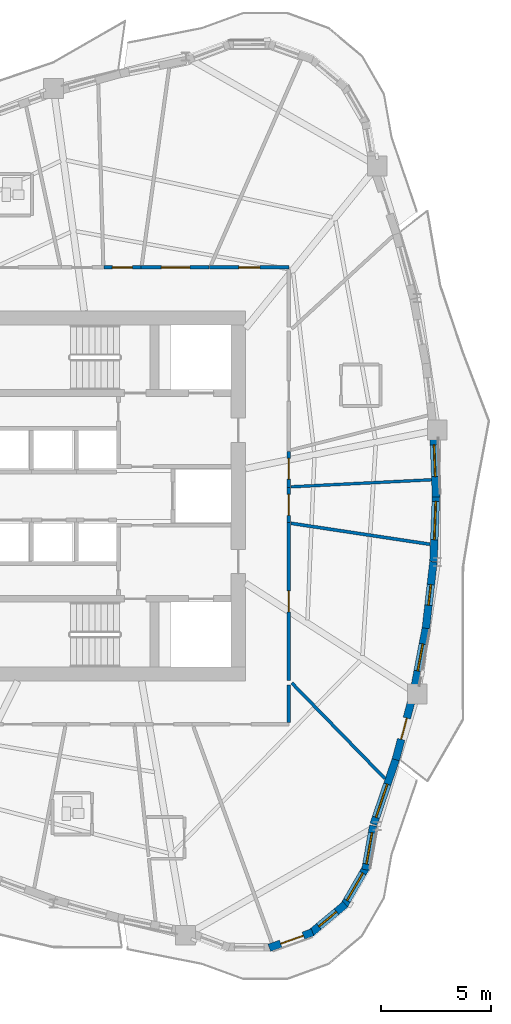
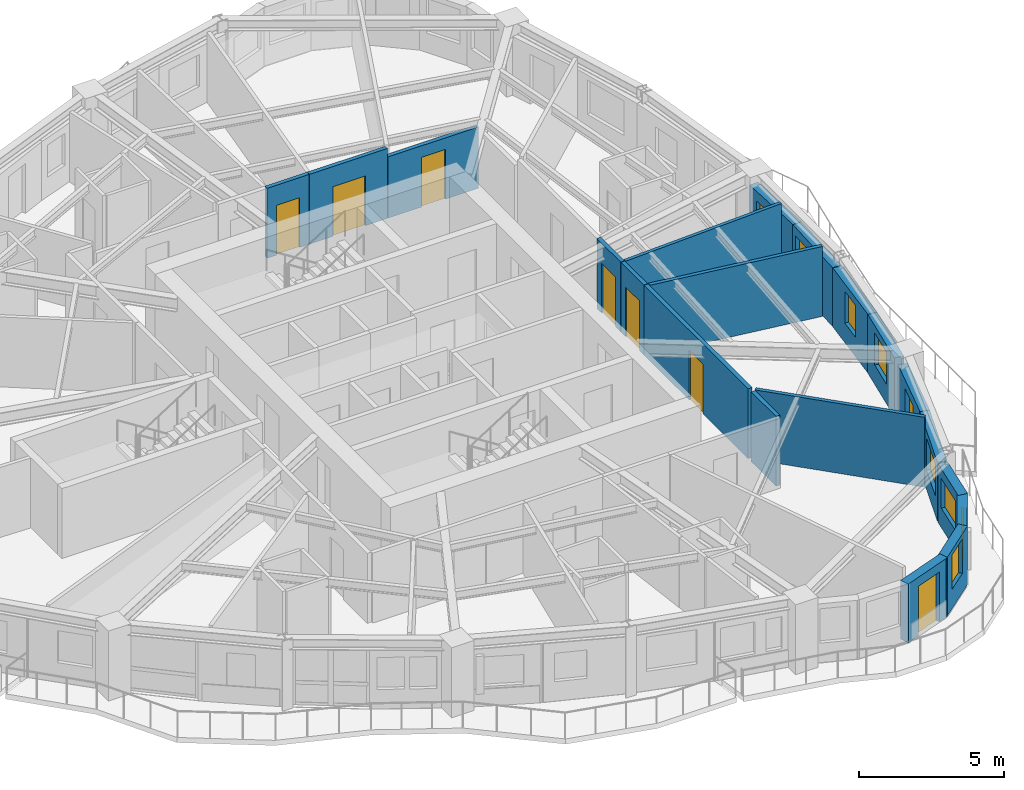
# One storey, part 8 of 15: 20 walls, 8 doors, 8 windows, 16 openings.
"""IFC4 building model written with IfcOpenShell, lengths in metres."""

from ifc_helpers import new_model, si_unit, direction, frame, frame_2d, origin, place, context, subcontext, project, spatial, rectangle, extrude, source, transform, mapped, material, layer, layer_set, type_object, element, fill, save


model = new_model("IFC4")

# Units and contexts
model_context = context("Model", 3, precision=1e-05, world=origin(), true_north=direction((0.0, 1.0)))
body_context = subcontext(model_context, "Body", "Model", "MODEL_VIEW")
ifc_project = project(units=[si_unit("LENGTHUNIT", "METRE"), si_unit("AREAUNIT", "SQUARE_METRE"), si_unit("VOLUMEUNIT", "CUBIC_METRE"), si_unit("PLANEANGLEUNIT", "RADIAN"), si_unit("MASSUNIT", "GRAM", prefix="KILO")], contexts=[model_context])

# Site, building, storey
site_placement = place(None, origin())
site = spatial("IfcSite", under=ifc_project, at=site_placement, CompositionType="ELEMENT")
building_placement = place(site_placement, origin())
building = spatial("IfcBuilding", under=site, at=building_placement, Name="Qafzar Sky-Pleat Residences", CompositionType="ELEMENT")
storey_placement = place(building_placement, frame((0.0, 0.0, 70.39990234375)))
storey = spatial("IfcBuildingStorey", under=building, at=storey_placement, Name="L20", CompositionType="ELEMENT", Elevation=70.39990234375)

# Wall, opening, door
ifc_material_1 = material(Name="Acoustic gypsum plasterboard partition", Category="gypsum")
ifc_layer_1 = layer(ifc_material_1, 0.159912109375)
ifc_layer_set_1 = layer_set([ifc_layer_1], Name="Acoustic gypsum plasterboard partition")
wall_type_1 = type_object("IfcWallType", Name="PART-COR-160", PredefinedType="PARTITIONING", material=ifc_layer_set_1)
wall_1_placement = place(storey_placement, frame((38.530029296875, 24.781005859375, 0.0), z_axis=(0.0, 0.0, 1.0), x_axis=(0.0, -1.0, 0.0)))
wall_1 = element("IfcWall", 1, at=wall_1_placement, inside=storey, type_object=wall_type_1, Name="L20 Partition Wall PART-L20-PW-001", PredefinedType="PARTITIONING", context=body_context, shape_type="SweptSolid", body=[
    extrude(rectangle(XDim=7.203125, YDim=0.159912109375, at=frame_2d((3.6015625, 0.0))), origin(), (0.0, 0.0, 1.0), 2.9501953125),
])
opening_1_placement = place(wall_1_placement, frame((3.118896484375, 0.0, 0.0)))
opening_1 = element("IfcOpeningElement", 2, at=opening_1_placement, cuts=wall_1, Name="Opening ID-06", PredefinedType="OPENING", context=body_context, shape_type="SweptSolid", body=[
    extrude(rectangle(XDim=0.9599609375, YDim=2.10009765625, at=frame_2d((0.47998046875, 1.050048828125))), frame((0.0, 0.08984375, 0.0), z_axis=(0.0, -1.0, 0.0), x_axis=(1.0, 0.0, 0.0)), (0.0, 0.0, 1.0), 0.179931640625),
])
ifc_material_2 = material(Name="Timber-faced fire door", Category="wood")
door_type_1 = type_object("IfcDoorType", Name="DR-STD-960", OperationType="NOTDEFINED", PredefinedType="DOOR", material=ifc_material_2)
shared_shape_1 = source(origin(), body_context, "Body", "SweptSolid", [
    extrude(rectangle(XDim=0.9599609375, YDim=2.10009765625, at=frame_2d((0.47998046875, 1.050048828125))), frame((0.0, 0.02490234375, 0.0), z_axis=(0.0, -1.0, 0.0), x_axis=(1.0, 0.0, 0.0)), (0.0, 0.0, 1.0), 0.050048828125),
])
door_1_placement = place(opening_1_placement, origin())
door_1 = element("IfcDoor", 3, at=door_1_placement, inside=storey, type_object=door_type_1, Name="L20 Postdoctoral Admin Office Door", OperationType="SINGLE_SWING_RIGHT", OverallHeight=2.10009765625, OverallWidth=0.9599609375, PredefinedType="DOOR", context=body_context, shape_type="MappedRepresentation", body=[
    mapped(shared_shape_1, transform((0.0, 0.0, 0.0), x_axis=(1.0, 0.0, 0.0), y_axis=(0.0, 1.0, 0.0), z_axis=(0.0, 0.0, 1.0), scale=1.0)),
])
fill(opening_1, door_1)

wall_2_placement = place(storey_placement, frame((34.908935546875, 36.429931640625, 0.0), z_axis=(0.0, 0.0, 1.0), x_axis=(1.0, 0.0, 0.0)))
wall_2 = element("IfcWall", 4, at=wall_2_placement, inside=storey, type_object=wall_type_1, Name="L20 Partition Wall PART-L20-PW-009", PredefinedType="PARTITIONING", context=body_context, shape_type="SweptSolid", body=[
    extrude(rectangle(XDim=3.62109375, YDim=0.159912109375, at=frame_2d((1.810546875, 0.0))), origin(), (0.0, 0.0, 1.0), 2.588134765625),
])
opening_2_placement = place(wall_2_placement, frame((1.339111328125, 0.0, 0.0)))
opening_2 = element("IfcOpeningElement", 5, at=opening_2_placement, cuts=wall_2, Name="Opening ID-06", PredefinedType="OPENING", context=body_context, shape_type="SweptSolid", body=[
    extrude(rectangle(XDim=0.9599609375, YDim=2.10009765625, at=frame_2d((0.47998046875, 1.050048828125))), frame((0.0, 0.08984375, 0.0), z_axis=(0.0, -1.0, 0.0), x_axis=(1.0, 0.0, 0.0)), (0.0, 0.0, 1.0), 0.179931640625),
])
door_2_placement = place(opening_2_placement, origin())
door_2 = element("IfcDoor", 6, at=door_2_placement, inside=storey, type_object=door_type_1, Name="L20 Reading Library Door", OperationType="SINGLE_SWING_LEFT", OverallHeight=2.10009765625, OverallWidth=0.9599609375, PredefinedType="DOOR", context=body_context, shape_type="MappedRepresentation", body=[
    mapped(shared_shape_1, transform((0.0, 0.0, 0.0), x_axis=(1.0, 0.0, 0.0), y_axis=(0.0, 1.0, 0.0), z_axis=(0.0, 0.0, 1.0), scale=1.0)),
])
fill(opening_2, door_2)

wall_3_placement = place(storey_placement, frame((31.784912109375, 36.429931640625, 0.0), z_axis=(0.0, 0.0, 1.0), x_axis=(1.0, 0.0, 0.0)))
wall_3 = element("IfcWall", 7, at=wall_3_placement, inside=storey, type_object=wall_type_1, Name="L20 Partition Wall PART-L20-PW-011", PredefinedType="PARTITIONING", context=body_context, shape_type="SweptSolid", body=[
    extrude(rectangle(XDim=3.109130859375, YDim=0.159912109375, at=frame_2d((1.5546875, 0.0))), origin(), (0.0, 0.0, 1.0), 2.9501953125),
])
opening_3_placement = place(wall_3_placement, frame((0.927978515625, 0.0, 0.0)))
opening_3 = element("IfcOpeningElement", 8, at=opening_3_placement, cuts=wall_3, Name="Opening ID-05", PredefinedType="OPENING", context=body_context, shape_type="SweptSolid", body=[
    extrude(rectangle(XDim=1.300048828125, YDim=2.10009765625, at=frame_2d((0.64990234375, 1.050048828125))), frame((0.0, 0.08984375, 0.0), z_axis=(0.0, -1.0, 0.0), x_axis=(1.0, 0.0, 0.0)), (0.0, 0.0, 1.0), 0.179931640625),
])
door_type_2 = type_object("IfcDoorType", Name="DR-LNG-1300", OperationType="DOUBLE_DOOR_SINGLE_SWING", PredefinedType="DOOR", material=ifc_material_2)
shared_shape_2 = source(origin(), body_context, "Body", "SweptSolid", [
    extrude(rectangle(XDim=1.300048828125, YDim=2.10009765625, at=frame_2d((0.64990234375, 1.050048828125))), frame((0.0, 0.02490234375, 0.0), z_axis=(0.0, -1.0, 0.0), x_axis=(1.0, 0.0, 0.0)), (0.0, 0.0, 1.0), 0.050048828125),
])
door_3_placement = place(opening_3_placement, origin())
door_3 = element("IfcDoor", 9, at=door_3_placement, inside=storey, type_object=door_type_2, Name="L20 Co-Living Lounge Door", OperationType="DOUBLE_DOOR_SINGLE_SWING", OverallHeight=2.10009765625, OverallWidth=1.300048828125, PredefinedType="DOOR", context=body_context, shape_type="MappedRepresentation", body=[
    mapped(shared_shape_2, transform((0.0, 0.0, 0.0), x_axis=(1.0, 0.0, 0.0), y_axis=(0.0, 1.0, 0.0), z_axis=(0.0, 0.0, 1.0), scale=1.0)),
])
fill(opening_3, door_3)

wall_4_placement = place(storey_placement, frame((30.091064453125, 36.429931640625, 0.0), z_axis=(0.0, 0.0, 1.0), x_axis=(1.0, 0.0, 0.0)))
wall_4 = element("IfcWall", 10, at=wall_4_placement, inside=storey, type_object=wall_type_1, Name="L20 Partition Wall PART-L20-PW-021", PredefinedType="PARTITIONING", context=body_context, shape_type="SweptSolid", body=[
    extrude(rectangle(XDim=1.678955078125, YDim=0.159912109375, at=frame_2d((0.83935546875, 0.0))), origin(), (0.0, 0.0, 1.0), 2.9501953125),
])
opening_4_placement = place(wall_4_placement, frame((0.37939453125, 0.0, 0.0)))
opening_4 = element("IfcOpeningElement", 11, at=opening_4_placement, cuts=wall_4, Name="Opening ID-04", PredefinedType="OPENING", context=body_context, shape_type="SweptSolid", body=[
    extrude(rectangle(XDim=0.919921875, YDim=2.10009765625, at=frame_2d((0.4599609375, 1.050048828125))), frame((0.0, 0.08984375, 0.0), z_axis=(0.0, -1.0, 0.0), x_axis=(1.0, 0.0, 0.0)), (0.0, 0.0, 1.0), 0.179931640625),
])
door_type_3 = type_object("IfcDoorType", Name="DR-BED-920", OperationType="NOTDEFINED", PredefinedType="DOOR", material=ifc_material_2)
shared_shape_3 = source(origin(), body_context, "Body", "SweptSolid", [
    extrude(rectangle(XDim=0.919921875, YDim=2.10009765625, at=frame_2d((0.4599609375, 1.050048828125))), frame((0.0, 0.02490234375, 0.0), z_axis=(0.0, -1.0, 0.0), x_axis=(1.0, 0.0, 0.0)), (0.0, 0.0, 1.0), 0.050048828125),
])
door_4_placement = place(opening_4_placement, origin())
door_4 = element("IfcDoor", 12, at=door_4_placement, inside=storey, type_object=door_type_3, Name="L20 Co-Living Bedroom 2 Door", OperationType="SINGLE_SWING_LEFT", OverallHeight=2.10009765625, OverallWidth=0.919921875, PredefinedType="DOOR", context=body_context, shape_type="MappedRepresentation", body=[
    mapped(shared_shape_3, transform((0.0, 0.0, 0.0), x_axis=(1.0, 0.0, 0.0), y_axis=(0.0, 1.0, 0.0), z_axis=(0.0, 0.0, 1.0), scale=1.0)),
])
fill(opening_4, door_4)

wall_5_placement = place(storey_placement, frame((38.530029296875, 28.0390625, 0.0), z_axis=(0.0, 0.0, 1.0), x_axis=(0.0, -1.0, 0.0)))
wall_5 = element("IfcWall", 13, at=wall_5_placement, inside=storey, type_object=wall_type_1, Name="L20 Partition Wall PART-L20-PW-022", PredefinedType="PARTITIONING", context=body_context, shape_type="SweptSolid", body=[
    extrude(rectangle(XDim=1.64306640625, YDim=0.159912109375, at=frame_2d((0.821533203125, 0.0))), origin(), (0.0, 0.0, 1.0), 2.9501953125),
])
opening_5_placement = place(wall_5_placement, frame((0.323486328125, 0.0, 0.0)))
opening_5 = element("IfcOpeningElement", 14, at=opening_5_placement, cuts=wall_5, Name="Opening ID-08", PredefinedType="OPENING", context=body_context, shape_type="SweptSolid", body=[
    extrude(rectangle(XDim=0.949951171875, YDim=2.10009765625, at=frame_2d((0.47509765625, 1.050048828125))), frame((0.0, 0.08984375, 0.0), z_axis=(0.0, -1.0, 0.0), x_axis=(1.0, 0.0, 0.0)), (0.0, 0.0, 1.0), 0.179931640625),
])
door_type_4 = type_object("IfcDoorType", Name="DR-AWC-950", OperationType="NOTDEFINED", PredefinedType="DOOR", material=ifc_material_2)
shared_shape_4 = source(origin(), body_context, "Body", "SweptSolid", [
    extrude(rectangle(XDim=0.949951171875, YDim=2.10009765625, at=frame_2d((0.47509765625, 1.050048828125))), frame((0.0, 0.02490234375, 0.0), z_axis=(0.0, -1.0, 0.0), x_axis=(1.0, 0.0, 0.0)), (0.0, 0.0, 1.0), 0.050048828125),
])
door_5_placement = place(opening_5_placement, origin())
door_5 = element("IfcDoor", 15, at=door_5_placement, inside=storey, type_object=door_type_4, Name="L20 Accessible Shared Washroom Door", OperationType="SINGLE_SWING_RIGHT", OverallHeight=2.10009765625, OverallWidth=0.949951171875, PredefinedType="DOOR", context=body_context, shape_type="MappedRepresentation", body=[
    mapped(shared_shape_4, transform((0.0, 0.0, 0.0), x_axis=(1.0, 0.0, 0.0), y_axis=(0.0, 1.0, 0.0), z_axis=(0.0, 0.0, 1.0), scale=1.0)),
])
fill(opening_5, door_5)

wall_6_placement = place(storey_placement, frame((38.530029296875, 26.381103515625, 0.0), z_axis=(0.0, 0.0, 1.0), x_axis=(0.0, -1.0, 0.0)))
wall_6 = element("IfcWall", 16, at=wall_6_placement, inside=storey, type_object=wall_type_1, Name="L20 Partition Wall PART-L20-PW-023", PredefinedType="PARTITIONING", context=body_context, shape_type="SweptSolid", body=[
    extrude(rectangle(XDim=1.585205078125, YDim=0.159912109375, at=frame_2d((0.79248046875, 0.0))), origin(), (0.0, 0.0, 1.0), 2.9501953125),
])
opening_6_placement = place(wall_6_placement, frame((0.31298828125, 0.0, 0.0)))
opening_6 = element("IfcOpeningElement", 17, at=opening_6_placement, cuts=wall_6, Name="Opening ID-06", PredefinedType="OPENING", context=body_context, shape_type="SweptSolid", body=[
    extrude(rectangle(XDim=0.9599609375, YDim=2.10009765625, at=frame_2d((0.47998046875, 1.050048828125))), frame((0.0, 0.08984375, 0.0), z_axis=(0.0, -1.0, 0.0), x_axis=(1.0, 0.0, 0.0)), (0.0, 0.0, 1.0), 0.179931640625),
])
door_6_placement = place(opening_6_placement, origin())
door_6 = element("IfcDoor", 18, at=door_6_placement, inside=storey, type_object=door_type_1, Name="L20 Scholar Study Room Door", OperationType="SINGLE_SWING_LEFT", OverallHeight=2.10009765625, OverallWidth=0.9599609375, PredefinedType="DOOR", context=body_context, shape_type="MappedRepresentation", body=[
    mapped(shared_shape_1, transform((0.0, 0.0, 0.0), x_axis=(1.0, 0.0, 0.0), y_axis=(0.0, 1.0, 0.0), z_axis=(0.0, 0.0, 1.0), scale=1.0)),
])
fill(opening_6, door_6)

# Walls
wall_7_placement = place(storey_placement, frame((38.530029296875, 15.657958984375, 0.0), z_axis=(0.0, 0.0, 1.0), x_axis=(0.0, 1.0, 0.0)))
element("IfcWall", 19, at=wall_7_placement, inside=storey, type_object=wall_type_1, Name="L20 Partition Wall PART-L20-PW-045", PredefinedType="PARTITIONING", context=body_context, shape_type="SweptSolid", body=[
    extrude(rectangle(XDim=1.7109375, YDim=0.159912109375, at=frame_2d((0.85546875, 0.0))), origin(), (0.0, 0.0, 1.0), 2.9501953125),
])
ifc_layer_2 = layer(ifc_material_1, 0.14501953125)
ifc_layer_set_2 = layer_set([ifc_layer_2], Name="Acoustic gypsum plasterboard partition")
wall_type_2 = type_object("IfcWallType", Name="PART-UNIT-145", PredefinedType="PARTITIONING", material=ifc_layer_set_2)
wall_8_placement = place(storey_placement, frame((38.628662109375, 24.75, 0.0), z_axis=(0.0, 0.0, 1.0), x_axis=(0.988806184902, -0.149205659073, 0.0)))
element("IfcWall", 20, at=wall_8_placement, inside=storey, type_object=wall_type_2, Name="L20 Partition Wall PART-L20-PW-036", PredefinedType="PARTITIONING", context=body_context, shape_type="SweptSolid", body=[
    extrude(rectangle(XDim=6.415771484375, YDim=0.14501953125, at=frame_2d((3.2080078125, 0.0))), origin(), (0.0, 0.0, 1.0), 2.9501953125),
])
wall_9_placement = place(storey_placement, frame((38.66748046875, 17.457763671875, 0.0), z_axis=(0.0, 0.0, 1.0), x_axis=(0.697626427609, -0.716461699954, 0.0)))
element("IfcWall", 21, at=wall_9_placement, inside=storey, type_object=wall_type_2, Name="L20 Partition Wall PART-L20-PW-039", PredefinedType="PARTITIONING", context=body_context, shape_type="SweptSolid", body=[
    extrude(rectangle(XDim=6.092041015625, YDim=0.14501953125, at=frame_2d((3.0458984375, 0.0))), origin(), (0.0, 0.0, 1.0), 2.9501953125),
])
ifc_material_3 = material(Name="Moisture-resistant gypsum partition", Category="gypsum")
ifc_layer_3 = layer(ifc_material_3, 0.1298828125)
ifc_layer_set_3 = layer_set([ifc_layer_3], Name="Moisture-resistant gypsum partition")
wall_type_3 = type_object("IfcWallType", Name="PART-WET-130", PredefinedType="PARTITIONING", material=ifc_layer_set_3)
wall_10_placement = place(storey_placement, frame((38.62109375, 26.41552734375, 0.0), z_axis=(0.0, 0.0, 1.0), x_axis=(0.998746074583, 0.050062745689, 0.0)))
element("IfcWall", 22, at=wall_10_placement, inside=storey, type_object=wall_type_3, Name="L20 Partition Wall PART-L20-PW-037", PredefinedType="PARTITIONING", context=body_context, shape_type="SweptSolid", body=[
    extrude(rectangle(XDim=6.422607421875, YDim=0.1298828125, at=frame_2d((3.21142578125, 0.0))), origin(), (0.0, 0.0, 1.0), 2.9501953125),
])

# Wall, opening, door
ifc_material_4 = material(Name="Precast concrete C40/50 with honed Riyadh limestone", Category="concrete")
ifc_layer_4 = layer(ifc_material_4, 0.35009765625)
ifc_layer_set_4 = layer_set([ifc_layer_4], Name="Precast concrete C40/50 with honed Riyadh limestone")
wall_type_4 = type_object("IfcWallType", Name="WALL-EXT-350", PredefinedType="SOLIDWALL", material=ifc_layer_set_4)
wall_11_placement = place(storey_placement, frame((37.6376953125, 5.3671875, 0.0), z_axis=(0.0, 0.0, 1.0), x_axis=(0.941486401639, 0.33705096874, 0.0)))
wall_11 = element("IfcWall", 23, at=wall_11_placement, inside=storey, type_object=wall_type_4, Name="L20 Limestone Facade Wall 19", PredefinedType="SOLIDWALL", context=body_context, shape_type="SweptSolid", body=[
    extrude(rectangle(XDim=2.09912109375, YDim=0.35009765625, at=frame_2d((1.049560546875, 0.0))), origin(), (0.0, 0.0, 1.0), 2.47998046875),
])
opening_7_placement = place(wall_11_placement, frame((0.55224609375, 0.0, 0.0)))
opening_7 = element("IfcOpeningElement", 24, at=opening_7_placement, cuts=wall_11, Name="Opening ED-06", PredefinedType="OPENING", context=body_context, shape_type="SweptSolid", body=[
    extrude(rectangle(XDim=1.10009765625, YDim=2.10009765625, at=frame_2d((0.550048828125, 1.050048828125))), frame((0.0, 0.18505859375, 0.0), z_axis=(0.0, -1.0, 0.0), x_axis=(1.0, 0.0, 0.0)), (0.0, 0.0, 1.0), 0.3701171875),
])
ifc_material_5 = material(Name="Glazed bronze aluminium door", Category="aluminium")
door_type_5 = type_object("IfcDoorType", Name="DR-BAL-1100", OperationType="NOTDEFINED", PredefinedType="DOOR", material=ifc_material_5)
shared_shape_5 = source(origin(), body_context, "Body", "SweptSolid", [
    extrude(rectangle(XDim=1.10009765625, YDim=2.10009765625, at=frame_2d((0.550048828125, 1.050048828125))), frame((0.0, 0.02490234375, 0.0), z_axis=(0.0, -1.0, 0.0), x_axis=(1.0, 0.0, 0.0)), (0.0, 0.0, 1.0), 0.050048828125),
])
door_7_placement = place(opening_7_placement, origin())
door_7 = element("IfcDoor", 25, at=door_7_placement, inside=storey, type_object=door_type_5, Name="L20 Terrace Glazed Door 3", OperationType="SINGLE_SWING_RIGHT", OverallHeight=2.10009765625, OverallWidth=1.10009765625, PredefinedType="DOOR", context=body_context, shape_type="MappedRepresentation", body=[
    mapped(shared_shape_5, transform((0.0, 0.0, 0.0), x_axis=(1.0, 0.0, 0.0), y_axis=(0.0, 1.0, 0.0), z_axis=(0.0, 0.0, 1.0), scale=1.0)),
])
fill(opening_7, door_7)

# Wall, opening, window
wall_12_placement = place(storey_placement, frame((39.49609375, 6.00732421875, 0.0), z_axis=(0.0, 0.0, 1.0), x_axis=(0.768450068703, 0.639909752942, 0.0)))
wall_12 = element("IfcWall", 26, at=wall_12_placement, inside=storey, type_object=wall_type_4, Name="L20 Limestone Facade Wall 20", PredefinedType="SOLIDWALL", context=body_context, shape_type="SweptSolid", body=[
    extrude(rectangle(XDim=2.098876953125, YDim=0.35009765625, at=frame_2d((1.04931640625, 0.0))), origin(), (0.0, 0.0, 1.0), 2.47998046875),
])
opening_8_placement = place(wall_12_placement, frame((0.5244140625, 0.0, 0.820068359375)))
opening_8 = element("IfcOpeningElement", 27, at=opening_8_placement, cuts=wall_12, Name="Opening WN-06", PredefinedType="OPENING", context=body_context, shape_type="SweptSolid", body=[
    extrude(rectangle(XDim=1.050048828125, YDim=1.449951171875, at=frame_2d((0.52490234375, 0.72509765625))), frame((0.0, 0.18505859375, 0.0), z_axis=(0.0, -1.0, 0.0), x_axis=(1.0, 0.0, 0.0)), (0.0, 0.0, 1.0), 0.3701171875),
])
ifc_material_6 = material(Name="Solar-control low-E glass in bronze aluminium frame", Category="glass")
window_type_1 = type_object("IfcWindowType", Name="WIN-06", PartitioningType="SINGLE_PANEL", PredefinedType="WINDOW", material=ifc_material_6)
shared_shape_6 = source(origin(), body_context, "Body", "SweptSolid", [
    extrude(rectangle(XDim=1.050048828125, YDim=1.449951171875, at=frame_2d((0.52490234375, 0.72509765625))), frame((0.0, 0.030029296875, 0.0), z_axis=(0.0, -1.0, 0.0), x_axis=(1.0, 0.0, 0.0)), (0.0, 0.0, 1.0), 0.06005859375),
])
window_1_placement = place(opening_8_placement, origin())
window_1 = element("IfcWindow", 28, at=window_1_placement, inside=storey, type_object=window_type_1, Name="L20 Punched Facade Window 20", OverallHeight=1.449951171875, OverallWidth=1.050048828125, PartitioningType="SINGLE_PANEL", PredefinedType="WINDOW", context=body_context, shape_type="MappedRepresentation", body=[
    mapped(shared_shape_6, transform((0.0, 0.0, 0.0), x_axis=(1.0, 0.0, 0.0), y_axis=(0.0, 1.0, 0.0), z_axis=(0.0, 0.0, 1.0), scale=1.0)),
])
fill(opening_8, window_1)

wall_13_placement = place(storey_placement, frame((41.021484375, 7.24658203125, 0.0), z_axis=(0.0, 0.0, 1.0), x_axis=(0.501902596059, 0.864924149315, 0.0)))
wall_13 = element("IfcWall", 29, at=wall_13_placement, inside=storey, type_object=wall_type_4, Name="L20 Limestone Facade Wall 21", PredefinedType="SOLIDWALL", context=body_context, shape_type="SweptSolid", body=[
    extrude(rectangle(XDim=2.098876953125, YDim=0.35009765625, at=frame_2d((1.04931640625, 0.0))), origin(), (0.0, 0.0, 1.0), 2.47998046875),
])
opening_9_placement = place(wall_13_placement, frame((0.324462890625, 0.0, 0.820068359375)))
opening_9 = element("IfcOpeningElement", 30, at=opening_9_placement, cuts=wall_13, Name="Opening WN-15", PredefinedType="OPENING", context=body_context, shape_type="SweptSolid", body=[
    extrude(rectangle(XDim=1.449951171875, YDim=1.25, at=frame_2d((0.72509765625, 0.625))), frame((0.0, 0.18505859375, 0.0), z_axis=(0.0, -1.0, 0.0), x_axis=(1.0, 0.0, 0.0)), (0.0, 0.0, 1.0), 0.3701171875),
])
window_type_2 = type_object("IfcWindowType", Name="WIN-15", PartitioningType="SINGLE_PANEL", PredefinedType="WINDOW", material=ifc_material_6)
shared_shape_7 = source(origin(), body_context, "Body", "SweptSolid", [
    extrude(rectangle(XDim=1.449951171875, YDim=1.25, at=frame_2d((0.72509765625, 0.625))), frame((0.0, 0.030029296875, 0.0), z_axis=(0.0, -1.0, 0.0), x_axis=(1.0, 0.0, 0.0)), (0.0, 0.0, 1.0), 0.06005859375),
])
window_2_placement = place(opening_9_placement, origin())
window_2 = element("IfcWindow", 31, at=window_2_placement, inside=storey, type_object=window_type_2, Name="L20 Punched Facade Window 21", OverallHeight=1.25, OverallWidth=1.449951171875, PartitioningType="SINGLE_PANEL", PredefinedType="WINDOW", context=body_context, shape_type="MappedRepresentation", body=[
    mapped(shared_shape_7, transform((0.0, 0.0, 0.0), x_axis=(1.0, 0.0, 0.0), y_axis=(0.0, 1.0, 0.0), z_axis=(0.0, 0.0, 1.0), scale=1.0)),
])
fill(opening_9, window_2)

wall_14_placement = place(storey_placement, frame((42.0283203125, 8.934326171875, 0.0), z_axis=(0.0, 0.0, 1.0), x_axis=(0.174399433509, 0.984674990843, 0.0)))
wall_14 = element("IfcWall", 32, at=wall_14_placement, inside=storey, type_object=wall_type_4, Name="L20 Limestone Facade Wall 22", PredefinedType="SOLIDWALL", context=body_context, shape_type="SweptSolid", body=[
    extrude(rectangle(XDim=2.041015625, YDim=0.35009765625, at=frame_2d((1.0205078125, 0.0))), origin(), (0.0, 0.0, 1.0), 2.47998046875),
])
opening_10_placement = place(wall_14_placement, frame((0.265380859375, 0.0, 0.820068359375)))
opening_10 = element("IfcOpeningElement", 33, at=opening_10_placement, cuts=wall_14, Name="Opening WN-15", PredefinedType="OPENING", context=body_context, shape_type="SweptSolid", body=[
    extrude(rectangle(XDim=1.449951171875, YDim=1.25, at=frame_2d((0.72509765625, 0.625))), frame((0.0, 0.18505859375, 0.0), z_axis=(0.0, -1.0, 0.0), x_axis=(1.0, 0.0, 0.0)), (0.0, 0.0, 1.0), 0.3701171875),
])
window_3_placement = place(opening_10_placement, origin())
window_3 = element("IfcWindow", 34, at=window_3_placement, inside=storey, type_object=window_type_2, Name="L20 Punched Facade Window 22", OverallHeight=1.25, OverallWidth=1.449951171875, PartitioningType="SINGLE_PANEL", PredefinedType="WINDOW", context=body_context, shape_type="MappedRepresentation", body=[
    mapped(shared_shape_7, transform((0.0, 0.0, 0.0), x_axis=(1.0, 0.0, 0.0), y_axis=(0.0, 1.0, 0.0), z_axis=(0.0, 0.0, 1.0), scale=1.0)),
])
fill(opening_10, window_3)

wall_15_placement = place(storey_placement, frame((42.40087890625, 11.0087890625, 0.0), z_axis=(0.0, 0.0, 1.0), x_axis=(0.323605065536, 0.946192243447, 0.0)))
wall_15 = element("IfcWall", 35, at=wall_15_placement, inside=storey, type_object=wall_type_4, Name="L20 Limestone Facade Wall 23", PredefinedType="SOLIDWALL", context=body_context, shape_type="SweptSolid", body=[
    extrude(rectangle(XDim=3.20263671875, YDim=0.35009765625, at=frame_2d((1.601318359375, 0.0))), origin(), (0.0, 0.0, 1.0), 2.47998046875),
])
opening_11_placement = place(wall_15_placement, frame((0.334228515625, 0.0, 0.820068359375)))
opening_11 = element("IfcOpeningElement", 36, at=opening_11_placement, cuts=wall_15, Name="Opening WN-09", PredefinedType="OPENING", context=body_context, shape_type="SweptSolid", body=[
    extrude(rectangle(XDim=1.60009765625, YDim=1.35009765625, at=frame_2d((0.800048828125, 0.675048828125))), frame((0.0, 0.18505859375, 0.0), z_axis=(0.0, -1.0, 0.0), x_axis=(1.0, 0.0, 0.0)), (0.0, 0.0, 1.0), 0.3701171875),
])
window_type_3 = type_object("IfcWindowType", Name="WIN-09", PartitioningType="DOUBLE_PANEL_VERTICAL", PredefinedType="WINDOW", material=ifc_material_6)
shared_shape_8 = source(origin(), body_context, "Body", "SweptSolid", [
    extrude(rectangle(XDim=1.60009765625, YDim=1.35009765625, at=frame_2d((0.800048828125, 0.675048828125))), frame((0.0, 0.030029296875, 0.0), z_axis=(0.0, -1.0, 0.0), x_axis=(1.0, 0.0, 0.0)), (0.0, 0.0, 1.0), 0.06005859375),
])
window_4_placement = place(opening_11_placement, origin())
window_4 = element("IfcWindow", 37, at=window_4_placement, inside=storey, type_object=window_type_3, Name="L20 Punched Facade Window 23", OverallHeight=1.35009765625, OverallWidth=1.60009765625, PartitioningType="SINGLE_PANEL", PredefinedType="WINDOW", context=body_context, shape_type="MappedRepresentation", body=[
    mapped(shared_shape_8, transform((0.0, 0.0, 0.0), x_axis=(1.0, 0.0, 0.0), y_axis=(0.0, 1.0, 0.0), z_axis=(0.0, 0.0, 1.0), scale=1.0)),
])
fill(opening_11, window_4)

# Wall, opening, door
wall_16_placement = place(storey_placement, frame((43.41162109375, 13.954833984375, 0.0), z_axis=(0.0, 0.0, 1.0), x_axis=(0.257050841376, 0.966397881283, 0.0)))
wall_16 = element("IfcWall", 38, at=wall_16_placement, inside=storey, type_object=wall_type_4, Name="L20 Limestone Facade Wall 24", PredefinedType="SOLIDWALL", context=body_context, shape_type="SweptSolid", body=[
    extrude(rectangle(XDim=2.930908203125, YDim=0.35009765625, at=frame_2d((1.46533203125, 0.0))), origin(), (0.0, 0.0, 1.0), 2.47998046875),
])
opening_12_placement = place(wall_16_placement, frame((0.965576171875, 0.0, 0.0)))
opening_12 = element("IfcOpeningElement", 39, at=opening_12_placement, cuts=wall_16, Name="Opening ED-05", PredefinedType="OPENING", context=body_context, shape_type="SweptSolid", body=[
    extrude(rectangle(XDim=1.0, YDim=2.10009765625, at=frame_2d((0.5, 1.050048828125))), frame((0.0, 0.18505859375, 0.0), z_axis=(0.0, -1.0, 0.0), x_axis=(1.0, 0.0, 0.0)), (0.0, 0.0, 1.0), 0.3701171875),
])
door_type_6 = type_object("IfcDoorType", Name="DR-BAL-1000", OperationType="NOTDEFINED", PredefinedType="DOOR", material=ifc_material_5)
shared_shape_9 = source(origin(), body_context, "Body", "SweptSolid", [
    extrude(rectangle(XDim=1.0, YDim=2.10009765625, at=frame_2d((0.5, 1.050048828125))), frame((0.0, 0.02490234375, 0.0), z_axis=(0.0, -1.0, 0.0), x_axis=(1.0, 0.0, 0.0)), (0.0, 0.0, 1.0), 0.050048828125),
])
door_8_placement = place(opening_12_placement, origin())
door_8 = element("IfcDoor", 40, at=door_8_placement, inside=storey, type_object=door_type_6, Name="L20 Glazed Balcony Door 1", OperationType="SINGLE_SWING_LEFT", OverallHeight=2.10009765625, OverallWidth=1.0, PredefinedType="DOOR", context=body_context, shape_type="MappedRepresentation", body=[
    mapped(shared_shape_9, transform((0.0, 0.0, 0.0), x_axis=(1.0, 0.0, 0.0), y_axis=(0.0, 1.0, 0.0), z_axis=(0.0, 0.0, 1.0), scale=1.0)),
])
fill(opening_12, door_8)

# Wall, opening, window
wall_17_placement = place(storey_placement, frame((44.26220703125, 17.213623046875, 0.0), z_axis=(0.0, 0.0, 1.0), x_axis=(0.18665246466, 0.982426006087, 0.0)))
wall_17 = element("IfcWall", 41, at=wall_17_placement, inside=storey, type_object=wall_type_4, Name="L20 Limestone Facade Wall 25", PredefinedType="SOLIDWALL", context=body_context, shape_type="SweptSolid", body=[
    extrude(rectangle(XDim=2.880126953125, YDim=0.35009765625, at=frame_2d((1.43994140625, 0.0))), origin(), (0.0, 0.0, 1.0), 2.47998046875),
])
opening_13_placement = place(wall_17_placement, frame((0.810302734375, 0.0, 0.820068359375)))
opening_13 = element("IfcOpeningElement", 42, at=opening_13_placement, cuts=wall_17, Name="Opening WN-11", PredefinedType="OPENING", context=body_context, shape_type="SweptSolid", body=[
    extrude(rectangle(XDim=1.25, YDim=1.35009765625, at=frame_2d((0.625, 0.675048828125))), frame((0.0, 0.18505859375, 0.0), z_axis=(0.0, -1.0, 0.0), x_axis=(1.0, 0.0, 0.0)), (0.0, 0.0, 1.0), 0.3701171875),
])
window_type_4 = type_object("IfcWindowType", Name="WIN-11", PartitioningType="SINGLE_PANEL", PredefinedType="WINDOW", material=ifc_material_6)
shared_shape_10 = source(origin(), body_context, "Body", "SweptSolid", [
    extrude(rectangle(XDim=1.25, YDim=1.35009765625, at=frame_2d((0.625, 0.675048828125))), frame((0.0, 0.030029296875, 0.0), z_axis=(0.0, -1.0, 0.0), x_axis=(1.0, 0.0, 0.0)), (0.0, 0.0, 1.0), 0.06005859375),
])
window_5_placement = place(opening_13_placement, origin())
window_5 = element("IfcWindow", 43, at=window_5_placement, inside=storey, type_object=window_type_4, Name="L20 Punched Facade Window 25", OverallHeight=1.35009765625, OverallWidth=1.25, PartitioningType="SINGLE_PANEL", PredefinedType="WINDOW", context=body_context, shape_type="MappedRepresentation", body=[
    mapped(shared_shape_10, transform((0.0, 0.0, 0.0), x_axis=(1.0, 0.0, 0.0), y_axis=(0.0, 1.0, 0.0), z_axis=(0.0, 0.0, 1.0), scale=1.0)),
])
fill(opening_13, window_5)

wall_18_placement = place(storey_placement, frame((44.78662109375, 19.955322265625, 0.0), z_axis=(0.0, 0.0, 1.0), x_axis=(0.113232876367, 0.993568475602, 0.0)))
wall_18 = element("IfcWall", 44, at=wall_18_placement, inside=storey, type_object=wall_type_4, Name="L20 Limestone Facade Wall 26", PredefinedType="SOLIDWALL", context=body_context, shape_type="SweptSolid", body=[
    extrude(rectangle(XDim=3.05078125, YDim=0.35009765625, at=frame_2d((1.525390625, 0.0))), origin(), (0.0, 0.0, 1.0), 2.47998046875),
])
opening_14_placement = place(wall_18_placement, frame((1.060302734375, 0.0, 0.820068359375)))
opening_14 = element("IfcOpeningElement", 45, at=opening_14_placement, cuts=wall_18, Name="Opening WN-12", PredefinedType="OPENING", context=body_context, shape_type="SweptSolid", body=[
    extrude(rectangle(XDim=0.949951171875, YDim=1.35009765625, at=frame_2d((0.47509765625, 0.675048828125))), frame((0.0, 0.18505859375, 0.0), z_axis=(0.0, -1.0, 0.0), x_axis=(1.0, 0.0, 0.0)), (0.0, 0.0, 1.0), 0.3701171875),
])
window_type_5 = type_object("IfcWindowType", Name="WIN-12", PartitioningType="SINGLE_PANEL", PredefinedType="WINDOW", material=ifc_material_6)
shared_shape_11 = source(origin(), body_context, "Body", "SweptSolid", [
    extrude(rectangle(XDim=0.949951171875, YDim=1.35009765625, at=frame_2d((0.47509765625, 0.675048828125))), frame((0.0, 0.030029296875, 0.0), z_axis=(0.0, -1.0, 0.0), x_axis=(1.0, 0.0, 0.0)), (0.0, 0.0, 1.0), 0.06005859375),
])
window_6_placement = place(opening_14_placement, origin())
window_6 = element("IfcWindow", 46, at=window_6_placement, inside=storey, type_object=window_type_5, Name="L20 Punched Facade Window 26", OverallHeight=1.35009765625, OverallWidth=0.949951171875, PartitioningType="SINGLE_PANEL", PredefinedType="WINDOW", context=body_context, shape_type="MappedRepresentation", body=[
    mapped(shared_shape_11, transform((0.0, 0.0, 0.0), x_axis=(1.0, 0.0, 0.0), y_axis=(0.0, 1.0, 0.0), z_axis=(0.0, 0.0, 1.0), scale=1.0)),
])
fill(opening_14, window_6)

wall_19_placement = place(storey_placement, frame((45.134033203125, 23.01318359375, 0.0), z_axis=(0.0, 0.0, 1.0), x_axis=(0.037984969205, 0.999278310639, 0.0)))
wall_19 = element("IfcWall", 47, at=wall_19_placement, inside=storey, type_object=wall_type_4, Name="L20 Limestone Facade Wall 27", PredefinedType="SOLIDWALL", context=body_context, shape_type="SweptSolid", body=[
    extrude(rectangle(XDim=3.03369140625, YDim=0.35009765625, at=frame_2d((1.516845703125, 0.0))), origin(), (0.0, 0.0, 1.0), 2.47998046875),
])
opening_15_placement = place(wall_19_placement, frame((0.98681640625, 0.0, 0.820068359375)))
opening_15 = element("IfcOpeningElement", 48, at=opening_15_placement, cuts=wall_19, Name="Opening WN-14", PredefinedType="OPENING", context=body_context, shape_type="SweptSolid", body=[
    extrude(rectangle(XDim=1.75, YDim=1.300048828125, at=frame_2d((0.875, 0.64990234375))), frame((0.0, 0.18505859375, 0.0), z_axis=(0.0, -1.0, 0.0), x_axis=(1.0, 0.0, 0.0)), (0.0, 0.0, 1.0), 0.3701171875),
])
window_type_6 = type_object("IfcWindowType", Name="WIN-14", PartitioningType="DOUBLE_PANEL_VERTICAL", PredefinedType="WINDOW", material=ifc_material_6)
shared_shape_12 = source(origin(), body_context, "Body", "SweptSolid", [
    extrude(rectangle(XDim=1.75, YDim=1.300048828125, at=frame_2d((0.875, 0.64990234375))), frame((0.0, 0.030029296875, 0.0), z_axis=(0.0, -1.0, 0.0), x_axis=(1.0, 0.0, 0.0)), (0.0, 0.0, 1.0), 0.06005859375),
])
window_7_placement = place(opening_15_placement, origin())
window_7 = element("IfcWindow", 49, at=window_7_placement, inside=storey, type_object=window_type_6, Name="L20 Punched Facade Window 27-2", OverallHeight=1.300048828125, OverallWidth=1.75, PartitioningType="SINGLE_PANEL", PredefinedType="WINDOW", context=body_context, shape_type="MappedRepresentation", body=[
    mapped(shared_shape_12, transform((0.0, 0.0, 0.0), x_axis=(1.0, 0.0, 0.0), y_axis=(0.0, 1.0, 0.0), z_axis=(0.0, 0.0, 1.0), scale=1.0)),
])
fill(opening_15, window_7)

wall_20_placement = place(storey_placement, frame((45.249267578125, 25.955322265625, 0.0), z_axis=(0.0, 0.0, 1.0), x_axis=(-0.0379756963, 0.999278663082, 0.0)))
wall_20 = element("IfcWall", 50, at=wall_20_placement, inside=storey, type_object=wall_type_4, Name="L20 Limestone Facade Wall 28", PredefinedType="SOLIDWALL", context=body_context, shape_type="SweptSolid", body=[
    extrude(rectangle(XDim=2.82861328125, YDim=0.35009765625, at=frame_2d((1.414306640625, 0.0))), origin(), (0.0, 0.0, 1.0), 2.47998046875),
])
opening_16_placement = place(wall_20_placement, frame((0.92919921875, 0.0, 0.820068359375)))
opening_16 = element("IfcOpeningElement", 51, at=opening_16_placement, cuts=wall_20, Name="Opening WN-15", PredefinedType="OPENING", context=body_context, shape_type="SweptSolid", body=[
    extrude(rectangle(XDim=1.449951171875, YDim=1.25, at=frame_2d((0.72509765625, 0.625))), frame((0.0, 0.18505859375, 0.0), z_axis=(0.0, -1.0, 0.0), x_axis=(1.0, 0.0, 0.0)), (0.0, 0.0, 1.0), 0.3701171875),
])
window_8_placement = place(opening_16_placement, origin())
window_8 = element("IfcWindow", 52, at=window_8_placement, inside=storey, type_object=window_type_2, Name="L20 Punched Facade Window 28-2", OverallHeight=1.25, OverallWidth=1.449951171875, PartitioningType="SINGLE_PANEL", PredefinedType="WINDOW", context=body_context, shape_type="MappedRepresentation", body=[
    mapped(shared_shape_7, transform((0.0, 0.0, 0.0), x_axis=(1.0, 0.0, 0.0), y_axis=(0.0, 1.0, 0.0), z_axis=(0.0, 0.0, 1.0), scale=1.0)),
])
fill(opening_16, window_8)

save(model, "model.ifc")
